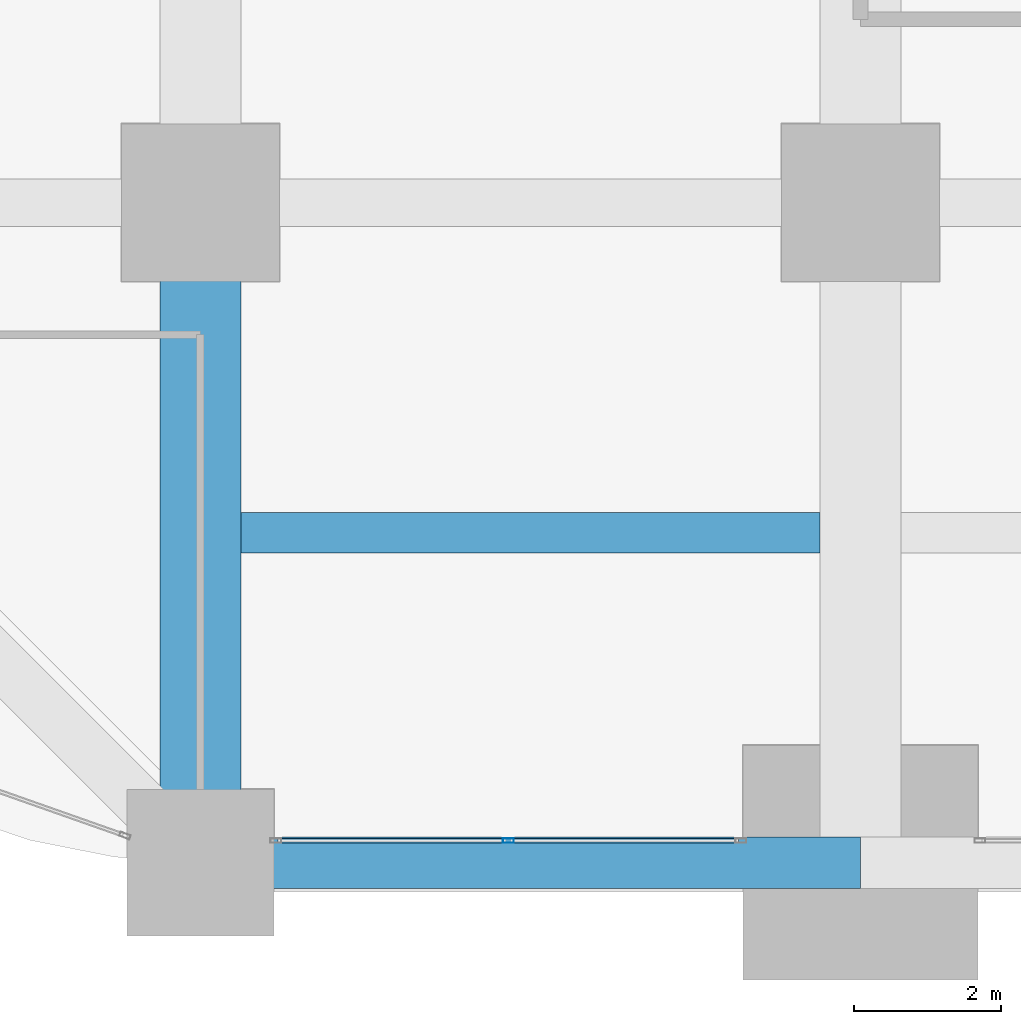
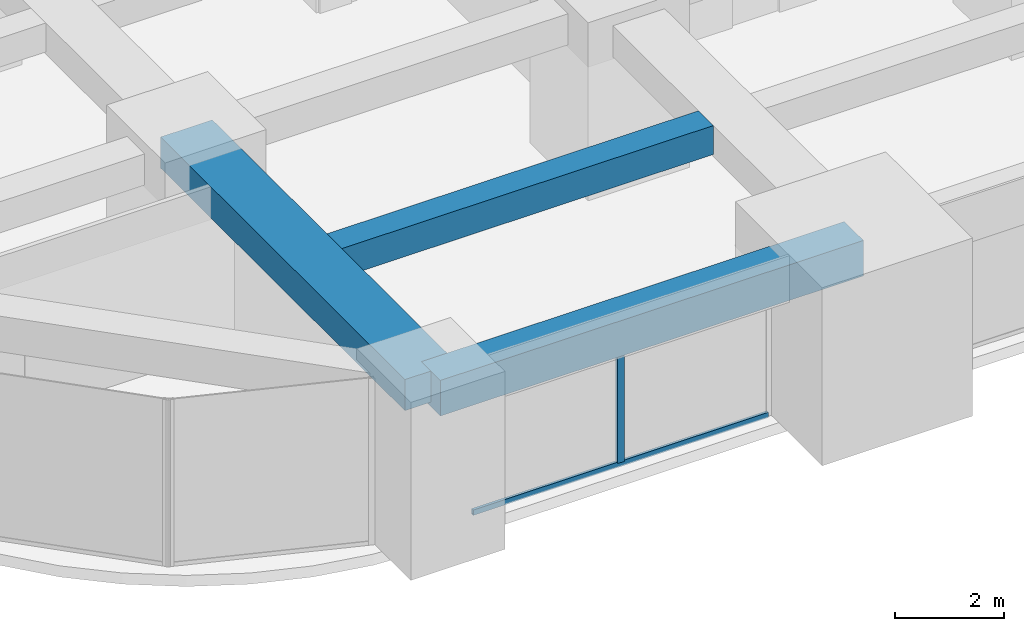
# One storey, part 3 of 41: 3 beams, 2 members, 1 element without a shape of its own.
"""IFC4 building model written with IfcOpenShell, lengths in metres."""

from ifc_helpers import new_model, si_unit, direction, frame, origin, origin_2d, place, context, subcontext, project, spatial, rectangle, hollow_rectangle, extrude, material, material_profile, profile_set, type_object, element, aggregate, save


model = new_model("IFC4")

# Units and contexts
model_context = context("Model", 3, precision=1e-05, world=origin(), true_north=direction((0.0, 1.0)))
body_context = subcontext(model_context, "Body", "Model", "MODEL_VIEW")
ifc_project = project(units=[si_unit("LENGTHUNIT", "METRE"), si_unit("AREAUNIT", "SQUARE_METRE"), si_unit("VOLUMEUNIT", "CUBIC_METRE"), si_unit("PLANEANGLEUNIT", "RADIAN"), si_unit("MASSUNIT", "GRAM", prefix="KILO")], contexts=[model_context])

# Site, building, storey
site_placement = place(None, origin())
site = spatial("IfcSite", under=ifc_project, at=site_placement, CompositionType="ELEMENT")
building_placement = place(site_placement, origin())
building = spatial("IfcBuilding", under=site, at=building_placement, Name="Zorevar Civic Tower", CompositionType="ELEMENT")
storey_placement = place(building_placement, frame((0.0, 0.0, 89.0)))
storey = spatial("IfcBuildingStorey", under=building, at=storey_placement, Name="L21", CompositionType="ELEMENT", Elevation=89.0)

# Beams
ifc_material_1 = material(Name="Concrete C50/60", Category="concrete")
ifc_material_profile_1 = material_profile(ifc_material_1, rectangle(XDim=1.10009765625, YDim=0.699951171875, at=origin_2d()), Name="RC 1100x700")
ifc_profile_set_1 = profile_set([ifc_material_profile_1], Name="Concrete C50/60")
beam_type_1 = type_object("IfcBeamType", Name="Beam RC 1100x700", PredefinedType="BEAM", material=ifc_profile_set_1)
beam_1_placement = place(storey_placement, frame((9.0, 0.0, 3.39990234375), z_axis=(0.0, 1.0, 0.0), x_axis=(-1.0, 0.0, 0.0)))
element("IfcBeam", 1, at=beam_1_placement, inside=storey, type_object=beam_type_1, Name="Girder L22", PredefinedType="BEAM", context=body_context, shape_type="SweptSolid", body=[
    extrude(rectangle(XDim=1.10009765625, YDim=0.699951171875, at=origin_2d()), origin(), (0.0, 0.0, 1.0), 9.0),
])
ifc_material_2 = material(Name="Concrete C50/60", Category="concrete")
ifc_material_profile_2 = material_profile(ifc_material_2, rectangle(XDim=0.550048828125, YDim=0.64990234375, at=origin_2d()), Name="RC 550x650")
ifc_profile_set_2 = profile_set([ifc_material_profile_2], Name="Concrete C50/60")
beam_type_2 = type_object("IfcBeamType", Name="Beam RC 550x650", PredefinedType="BEAM", material=ifc_profile_set_2)
beam_2_placement = place(storey_placement, frame((9.550048828125, 4.5, 3.425048828125), z_axis=(1.0, 0.0, 0.0), x_axis=(0.0, 1.0, 0.0)))
element("IfcBeam", 2, at=beam_2_placement, inside=storey, type_object=beam_type_2, Name="Secondary beam L22", PredefinedType="BEAM", context=body_context, shape_type="SweptSolid", body=[
    extrude(rectangle(XDim=0.550048828125, YDim=0.64990234375, at=origin_2d()), origin(), (0.0, 0.0, 1.0), 7.89990234375),
])

# Curtain wall, members
ifc_material_3 = material(Name="Dark grey solar-control glass in black aluminium frame", Category="aluminium")
curtain_wall_type = type_object("IfcCurtainWallType", Name="Curtain wall CW3 mid zone", PredefinedType="NOTDEFINED", material=ifc_material_3)
curtain_wall_placement = place(storey_placement, origin())
curtain_wall = element("IfcCurtainWall", 3, at=curtain_wall_placement, inside=storey, type_object=curtain_wall_type, Name="CW3 L21", PredefinedType="NOTDEFINED")
ifc_material_4 = material(Name="Aluminium, black anodised", Category="aluminium")
ifc_material_profile_3 = material_profile(ifc_material_4, hollow_rectangle(XDim=0.06005859375, YDim=0.14990234375, WallThickness=0.00390625, at=origin_2d()), Name="AL 150x60x4")
ifc_profile_set_3 = profile_set([ifc_material_profile_3], Name="Aluminium, black anodised")
member_type_1 = type_object("IfcMemberType", Name="CW3 mullion AL 150x60x4", PredefinedType="MULLION", material=ifc_profile_set_3)
member_1_placement = place(storey_placement, frame((13.199951171875, 0.300048828125, 0.06005859375), z_axis=(0.0, 0.0, 1.0), x_axis=(0.0, 1.0, 0.0)))
member_1 = element("IfcMember", 4, at=member_1_placement, type_object=member_type_1, Name="CW3 mullion 2", PredefinedType="MULLION", context=body_context, shape_type="SweptSolid", body=[
    extrude(hollow_rectangle(XDim=0.06005859375, YDim=0.14990234375, WallThickness=0.00390625, at=origin_2d()), origin(), (0.0, 0.0, 1.0), 2.889892578125),
])
ifc_material_5 = material(Name="Aluminium, black anodised", Category="aluminium")
ifc_material_profile_4 = material_profile(ifc_material_5, hollow_rectangle(XDim=0.06005859375, YDim=0.1201171875, WallThickness=0.0029296875, at=origin_2d()), Name="AL 120x60x3")
ifc_profile_set_4 = profile_set([ifc_material_profile_4], Name="Aluminium, black anodised")
member_type_2 = type_object("IfcMemberType", Name="CW3 transom AL 120x60x3", PredefinedType="USERDEFINED", material=ifc_profile_set_4)
member_2_placement = place(storey_placement, frame((10.06005859375, 0.300048828125, 0.030029296875), z_axis=(1.0, 0.0, 0.0), x_axis=(0.0, 1.0, 0.0)))
member_2 = element("IfcMember", 5, at=member_2_placement, type_object=member_type_2, Name="CW3 sill transom", ObjectType="TRANSOM", PredefinedType="USERDEFINED", context=body_context, shape_type="SweptSolid", body=[
    extrude(hollow_rectangle(XDim=0.06005859375, YDim=0.1201171875, WallThickness=0.0029296875, at=origin_2d()), origin(), (0.0, 0.0, 1.0), 6.280029296875),
])
aggregate(curtain_wall, [member_1, member_2])

# Beam
ifc_material_6 = material(Name="Concrete C50/60", Category="concrete")
ifc_material_profile_5 = material_profile(ifc_material_6, rectangle(XDim=0.699951171875, YDim=0.800048828125, at=origin_2d()), Name="RC 700x800")
ifc_profile_set_5 = profile_set([ifc_material_profile_5], Name="Concrete C50/60")
beam_type_3 = type_object("IfcBeamType", Name="Edge beam RC 700x800", PredefinedType="SPANDREL", material=ifc_profile_set_5)
beam_3_placement = place(storey_placement, frame((9.0, 0.0, 3.35009765625), z_axis=(1.0, 0.0, 0.0), x_axis=(0.0, 1.0, 0.0)))
element("IfcBeam", 6, at=beam_3_placement, inside=storey, type_object=beam_type_3, Name="Edge beam L22", PredefinedType="SPANDREL", context=body_context, shape_type="SweptSolid", body=[
    extrude(rectangle(XDim=0.699951171875, YDim=0.800048828125, at=origin_2d()), origin(), (0.0, 0.0, 1.0), 9.0),
])

save(model, "model.ifc")
